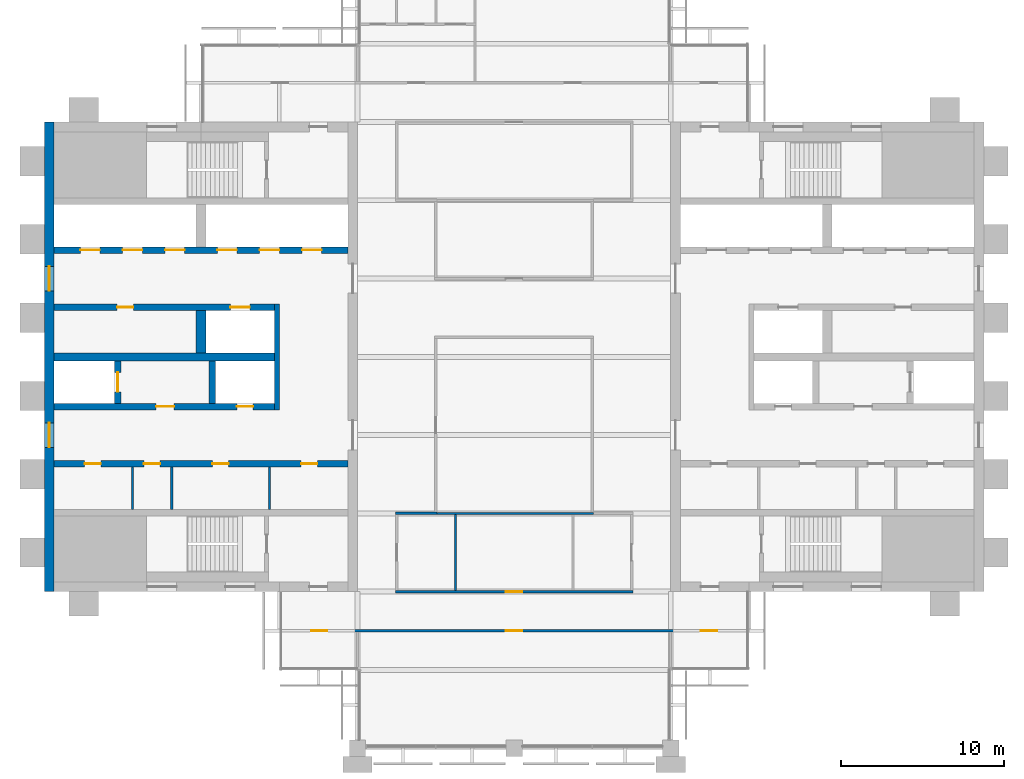
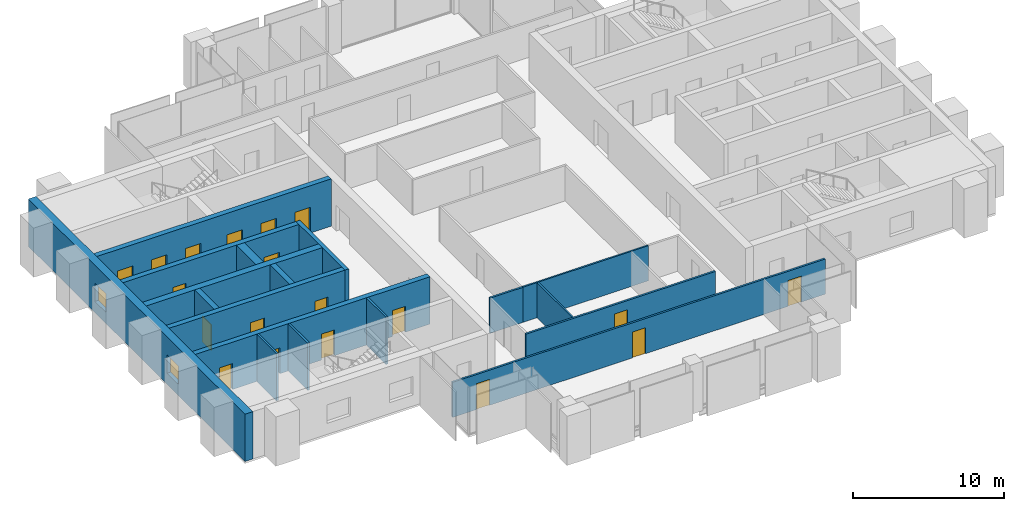
# One storey, part 8 of 12: 19 doors, 18 walls, 2 windows, 21 openings.
"""IFC4 building model written with IfcOpenShell, lengths in metres."""

from ifc_helpers import new_model, si_unit, direction, frame, frame_2d, origin, place, context, subcontext, project, spatial, rectangle, extrude, material, layer, layer_set, type_object, element, fill, save


model = new_model("IFC4")

# Units and contexts
model_context = context("Model", 3, precision=1e-05, world=origin(), true_north=direction((0.0, 1.0)))
body_context = subcontext(model_context, "Body", "Model", "MODEL_VIEW")
ifc_project = project(units=[si_unit("LENGTHUNIT", "METRE"), si_unit("AREAUNIT", "SQUARE_METRE"), si_unit("VOLUMEUNIT", "CUBIC_METRE"), si_unit("PLANEANGLEUNIT", "RADIAN"), si_unit("MASSUNIT", "GRAM", prefix="KILO")], contexts=[model_context])

# Site, building, storey
site_placement = place(None, origin())
site = spatial("IfcSite", under=ifc_project, at=site_placement, CompositionType="ELEMENT")
building_placement = place(site_placement, origin())
building = spatial("IfcBuilding", under=site, at=building_placement, Name="Baori Bourse Tower", CompositionType="ELEMENT")
storey_placement = place(building_placement, frame((0.0, 0.0, 286.300048828125)))
storey = spatial("IfcBuildingStorey", under=building, at=storey_placement, Name="L62", CompositionType="ELEMENT", Elevation=286.300048828125)

# Walls
ifc_material_1 = material(Name="Blockwork partition", Category="masonry")
ifc_layer_1 = layer(ifc_material_1, 0.14990234375)
ifc_layer_set_1 = layer_set([ifc_layer_1], Name="Core partition 150")
wall_type_1 = type_object("IfcWallType", Name="Core partition 150", PredefinedType="PARTITIONING", material=ifc_layer_set_1)
for number, where, z_axis, x_axis, name in (
    (1, (5.39990234375, 14.64990234375, 0.0), (0.0, 0.0, 1.0), (0.0, 1.0, 0.0), "Partition wall W09"),
    (2, (7.800048828125, 14.64990234375, 0.0), (0.0, 0.0, 1.0), (0.0, 1.0, 0.0), "Partition wall W10"),
    (3, (13.800048828125, 14.64990234375, 0.0), (0.0, 0.0, 1.0), (0.0, 1.0, 0.0), "Partition wall W11"),
):
    element("IfcWall", number, at=place(storey_placement, frame(where, z_axis=z_axis, x_axis=x_axis)), inside=storey, type_object=wall_type_1, Name=name, PredefinedType="PARTITIONING", context=body_context, shape_type="SweptSolid", body=[
        extrude(rectangle(XDim=2.60009765625, YDim=0.14990234375, at=frame_2d((1.300048828125, 0.0))), origin(), (0.0, 0.0, 1.0), 3.83984375),
    ])

# Wall, openings, windows
ifc_material_2 = material(Name="Concrete f'c 40 MPa", Category="concrete")
ifc_layer_2 = layer(ifc_material_2, 0.60009765625)
ifc_layer_set_2 = layer_set([ifc_layer_2], Name="Core wall 600 f'c 40")
wall_type_2 = type_object("IfcWallType", Name="Core wall 600 f'c 40", PredefinedType="SHEAR", material=ifc_layer_set_2)
wall_1_placement = place(storey_placement, frame((0.300048828125, 9.60009765625, 0.0), z_axis=(0.0, 0.0, 1.0), x_axis=(0.0, 1.0, 0.0)))
wall_1 = element("IfcWall", 4, at=wall_1_placement, inside=storey, type_object=wall_type_2, Name="Core wall W01", PredefinedType="SHEAR", context=body_context, shape_type="SweptSolid", body=[
    extrude(rectangle(XDim=28.7998046875, YDim=0.60009765625, at=frame_2d((14.39990234375, 0.0))), origin(), (0.0, 0.0, 1.0), 3.83984375),
])
opening_1_placement = place(wall_1_placement, frame((8.85009765625, 0.0, 0.89990234375)))
opening_1 = element("IfcOpeningElement", 5, at=opening_1_placement, cuts=wall_1, Name="Opening L62-KW101", PredefinedType="OPENING", context=body_context, shape_type="SweptSolid", body=[
    extrude(rectangle(XDim=1.5, YDim=1.5, at=frame_2d((0.75, 0.75))), frame((0.0, 0.31005859375, 0.0), z_axis=(0.0, -1.0, 0.0), x_axis=(1.0, 0.0, 0.0)), (0.0, 0.0, 1.0), 0.6201171875),
])
opening_2_placement = place(wall_1_placement, frame((18.449951171875, 0.0, 0.89990234375)))
opening_2 = element("IfcOpeningElement", 6, at=opening_2_placement, cuts=wall_1, Name="Opening L62-KW102", PredefinedType="OPENING", context=body_context, shape_type="SweptSolid", body=[
    extrude(rectangle(XDim=1.5, YDim=1.5, at=frame_2d((0.75, 0.75))), frame((0.0, 0.31005859375, 0.0), z_axis=(0.0, -1.0, 0.0), x_axis=(1.0, 0.0, 0.0)), (0.0, 0.0, 1.0), 0.6201171875),
])
ifc_material_3 = material(Name="Pale anodised aluminium", Category="aluminium")
window_type = type_object("IfcWindowType", Name="Lobby window 1500 x 1500", PartitioningType="SINGLE_PANEL", PredefinedType="WINDOW", material=ifc_material_3)
window_1_placement = place(opening_1_placement, origin())
window_1 = element("IfcWindow", 7, at=window_1_placement, inside=storey, type_object=window_type, Name="Outer wall window W L62 1", OverallHeight=1.5, OverallWidth=1.5, PartitioningType="SINGLE_PANEL", PredefinedType="WINDOW", context=body_context, shape_type="SweptSolid", body=[
    extrude(rectangle(XDim=1.5, YDim=1.5, at=frame_2d((0.75, 0.75))), frame((0.0, 0.030029296875, 0.0), z_axis=(0.0, -1.0, 0.0), x_axis=(1.0, 0.0, 0.0)), (0.0, 0.0, 1.0), 0.06005859375),
])
fill(opening_1, window_1)
window_2_placement = place(opening_2_placement, origin())
window_2 = element("IfcWindow", 8, at=window_2_placement, inside=storey, type_object=window_type, Name="Outer wall window W L62 2", OverallHeight=1.5, OverallWidth=1.5, PartitioningType="SINGLE_PANEL", PredefinedType="WINDOW", context=body_context, shape_type="SweptSolid", body=[
    extrude(rectangle(XDim=1.5, YDim=1.5, at=frame_2d((0.75, 0.75))), frame((0.0, 0.030029296875, 0.0), z_axis=(0.0, -1.0, 0.0), x_axis=(1.0, 0.0, 0.0)), (0.0, 0.0, 1.0), 0.06005859375),
])
fill(opening_2, window_2)

# Wall, openings, doors
ifc_material_4 = material(Name="Gypsum board partition")
ifc_layer_3 = layer(ifc_material_4, 0.14990234375)
ifc_layer_set_3 = layer_set([ifc_layer_3], Name="Corridor partition 150")
wall_type_3 = type_object("IfcWallType", Name="Corridor partition 150", PredefinedType="PARTITIONING", material=ifc_layer_set_3)
wall_2_placement = place(storey_placement, frame((14.5, 7.199951171875, 0.0), z_axis=(0.0, 0.0, 1.0), x_axis=(1.0, 0.0, 0.0)))
wall_2 = element("IfcWall", 9, at=wall_2_placement, inside=storey, type_object=wall_type_3, Name="Partition", PredefinedType="PARTITIONING", context=body_context, shape_type="SweptSolid", body=[
    extrude(rectangle(XDim=28.60009765625, YDim=0.14990234375, at=frame_2d((14.300048828125, 0.0))), origin(), (0.0, 0.0, 1.0), 2.849365234375),
])
opening_3_placement = place(wall_2_placement, frame((1.85009765625, 0.0, 0.0)))
opening_3 = element("IfcOpeningElement", 10, at=opening_3_placement, cuts=wall_2, Name="Opening L62-D01", PredefinedType="OPENING", context=body_context, shape_type="SweptSolid", body=[
    extrude(rectangle(XDim=1.0, YDim=2.10009765625, at=frame_2d((0.5, 1.050048828125))), frame((0.0, 0.0849609375, 0.0), z_axis=(0.0, -1.0, 0.0), x_axis=(1.0, 0.0, 0.0)), (0.0, 0.0, 1.0), 0.169921875),
])
opening_4_placement = place(wall_2_placement, frame((13.800048828125, 0.0, 0.0)))
opening_4 = element("IfcOpeningElement", 11, at=opening_4_placement, cuts=wall_2, Name="Opening L62-D02", PredefinedType="OPENING", context=body_context, shape_type="SweptSolid", body=[
    extrude(rectangle(XDim=1.0, YDim=2.10009765625, at=frame_2d((0.5, 1.050048828125))), frame((0.0, 0.0849609375, 0.0), z_axis=(0.0, -1.0, 0.0), x_axis=(1.0, 0.0, 0.0)), (0.0, 0.0, 1.0), 0.169921875),
])
opening_5_placement = place(wall_2_placement, frame((25.75, 0.0, 0.0)))
opening_5 = element("IfcOpeningElement", 12, at=opening_5_placement, cuts=wall_2, Name="Opening L62-D03", PredefinedType="OPENING", context=body_context, shape_type="SweptSolid", body=[
    extrude(rectangle(XDim=1.0, YDim=2.10009765625, at=frame_2d((0.5, 1.050048828125))), frame((0.0, 0.0849609375, 0.0), z_axis=(0.0, -1.0, 0.0), x_axis=(1.0, 0.0, 0.0)), (0.0, 0.0, 1.0), 0.169921875),
])
ifc_material_5 = material(Name="Timber door leaf", Category="wood")
door_type_1 = type_object("IfcDoorType", Name="Door 1000 x 2100", OperationType="SINGLE_SWING_LEFT", PredefinedType="DOOR", material=ifc_material_5)
door_1_placement = place(opening_3_placement, origin())
door_1 = element("IfcDoor", 13, at=door_1_placement, inside=storey, type_object=door_type_1, Name="Door", OperationType="SINGLE_SWING_LEFT", OverallHeight=2.10009765625, OverallWidth=1.0, PredefinedType="DOOR", context=body_context, shape_type="SweptSolid", body=[
    extrude(rectangle(XDim=1.0, YDim=2.10009765625, at=frame_2d((0.5, 1.050048828125))), frame((0.0, 0.02490234375, 0.0), z_axis=(0.0, -1.0, 0.0), x_axis=(1.0, 0.0, 0.0)), (0.0, 0.0, 1.0), 0.050048828125),
])
fill(opening_3, door_1)
door_2_placement = place(opening_4_placement, origin())
door_2 = element("IfcDoor", 14, at=door_2_placement, inside=storey, type_object=door_type_1, Name="Door", OperationType="SINGLE_SWING_LEFT", OverallHeight=2.10009765625, OverallWidth=1.0, PredefinedType="DOOR", context=body_context, shape_type="SweptSolid", body=[
    extrude(rectangle(XDim=1.0, YDim=2.10009765625, at=frame_2d((0.5, 1.050048828125))), frame((0.0, 0.02490234375, 0.0), z_axis=(0.0, -1.0, 0.0), x_axis=(1.0, 0.0, 0.0)), (0.0, 0.0, 1.0), 0.050048828125),
])
fill(opening_4, door_2)
door_3_placement = place(opening_5_placement, origin())
door_3 = element("IfcDoor", 15, at=door_3_placement, inside=storey, type_object=door_type_1, Name="Door", OperationType="SINGLE_SWING_RIGHT", OverallHeight=2.10009765625, OverallWidth=1.0, PredefinedType="DOOR", context=body_context, shape_type="SweptSolid", body=[
    extrude(rectangle(XDim=1.0, YDim=2.10009765625, at=frame_2d((0.5, 1.050048828125))), frame((0.0, 0.02490234375, 0.0), z_axis=(0.0, -1.0, 0.0), x_axis=(1.0, 0.0, 0.0)), (0.0, 0.0, 1.0), 0.050048828125),
])
fill(opening_5, door_3)

# Wall, opening, door
wall_3_placement = place(storey_placement, frame((21.52490234375, 9.60009765625, 0.0), z_axis=(0.0, 0.0, 1.0), x_axis=(1.0, 0.0, 0.0)))
wall_3 = element("IfcWall", 16, at=wall_3_placement, inside=storey, type_object=wall_type_3, Name="Partition", PredefinedType="PARTITIONING", context=body_context, shape_type="SweptSolid", body=[
    extrude(rectangle(XDim=14.550048828125, YDim=0.14990234375, at=frame_2d((7.27490234375, 0.0))), origin(), (0.0, 0.0, 1.0), 2.849365234375),
])
opening_6_placement = place(wall_3_placement, frame((6.77490234375, 0.0, 0.0)))
opening_6 = element("IfcOpeningElement", 17, at=opening_6_placement, cuts=wall_3, Name="Opening L62-D04", PredefinedType="OPENING", context=body_context, shape_type="SweptSolid", body=[
    extrude(rectangle(XDim=1.0, YDim=2.10009765625, at=frame_2d((0.5, 1.050048828125))), frame((0.0, 0.0849609375, 0.0), z_axis=(0.0, -1.0, 0.0), x_axis=(1.0, 0.0, 0.0)), (0.0, 0.0, 1.0), 0.169921875),
])
door_4_placement = place(opening_6_placement, origin())
door_4 = element("IfcDoor", 18, at=door_4_placement, inside=storey, type_object=door_type_1, Name="Door", OperationType="SINGLE_SWING_RIGHT", OverallHeight=2.10009765625, OverallWidth=1.0, PredefinedType="DOOR", context=body_context, shape_type="SweptSolid", body=[
    extrude(rectangle(XDim=1.0, YDim=2.10009765625, at=frame_2d((0.5, 1.050048828125))), frame((0.0, 0.02490234375, 0.0), z_axis=(0.0, -1.0, 0.0), x_axis=(1.0, 0.0, 0.0)), (0.0, 0.0, 1.0), 0.050048828125),
])
fill(opening_6, door_4)

# Walls
wall_4_placement = place(storey_placement, frame((21.52490234375, 14.39990234375, 0.0), z_axis=(0.0, 0.0, 1.0), x_axis=(1.0, 0.0, 0.0)))
element("IfcWall", 19, at=wall_4_placement, inside=storey, type_object=wall_type_3, Name="Partition", PredefinedType="PARTITIONING", context=body_context, shape_type="SweptSolid", body=[
    extrude(rectangle(XDim=2.550048828125, YDim=0.14990234375, at=frame_2d((1.27490234375, 0.0))), origin(), (0.0, 0.0, 1.0), 2.849365234375),
])
ifc_material_6 = material(Name="Gypsum board partition")
ifc_layer_4 = layer(ifc_material_6, 0.125)
ifc_layer_set_4 = layer_set([ifc_layer_4], Name="Partition 125")
wall_type_4 = type_object("IfcWallType", Name="Partition 125", PredefinedType="PARTITIONING", material=ifc_layer_set_4)
wall_5_placement = place(storey_placement, frame((24.074951171875, 14.39990234375, 0.0), z_axis=(0.0, 0.0, 1.0), x_axis=(1.0, 0.0, 0.0)))
element("IfcWall", 20, at=wall_5_placement, inside=storey, type_object=wall_type_4, Name="Partition", PredefinedType="PARTITIONING", context=body_context, shape_type="SweptSolid", body=[
    extrude(rectangle(XDim=9.60009765625, YDim=0.125, at=frame_2d((4.800048828125, 0.0))), origin(), (0.0, 0.0, 1.0), 2.849365234375),
])
wall_6_placement = place(storey_placement, frame((25.199951171875, 9.675048828125, 0.0), z_axis=(0.0, 0.0, 1.0), x_axis=(0.0, 1.0, 0.0)))
element("IfcWall", 21, at=wall_6_placement, inside=storey, type_object=wall_type_4, Name="Partition", PredefinedType="PARTITIONING", context=body_context, shape_type="SweptSolid", body=[
    extrude(rectangle(XDim=4.662353515625, YDim=0.125, at=frame_2d((2.3310546875, 0.0))), origin(), (0.0, 0.0, 1.0), 2.849365234375),
])
ifc_material_7 = material(Name="Concrete f'c 40 MPa", Category="concrete")
ifc_layer_5 = layer(ifc_material_7, 0.300048828125)
ifc_layer_set_5 = layer_set([ifc_layer_5], Name="Shaft wall 300 f'c 40")
wall_type_5 = type_object("IfcWallType", Name="Shaft wall 300 f'c 40", PredefinedType="SHEAR", material=ifc_layer_set_5)
wall_7_placement = place(storey_placement, frame((14.25, 20.75, 0.0), z_axis=(0.0, 0.0, 1.0), x_axis=(0.0, 1.0, 0.0)))
element("IfcWall", 22, at=wall_7_placement, inside=storey, type_object=wall_type_5, Name="Core wall W14", PredefinedType="SHEAR", context=body_context, shape_type="SweptSolid", body=[
    extrude(rectangle(XDim=6.5, YDim=0.300048828125, at=frame_2d((3.25, 0.0))), origin(), (0.0, 0.0, 1.0), 3.83984375),
])

# Wall, openings, doors
ifc_material_8 = material(Name="Concrete f'c 40 MPa", Category="concrete")
ifc_layer_6 = layer(ifc_material_8, 0.39990234375)
ifc_layer_set_6 = layer_set([ifc_layer_6], Name="Shaft wall 400 f'c 40")
wall_type_6 = type_object("IfcWallType", Name="Shaft wall 400 f'c 40", PredefinedType="SHEAR", material=ifc_layer_set_6)
wall_8_placement = place(storey_placement, frame((0.60009765625, 17.449951171875, 0.0), z_axis=(0.0, 0.0, 1.0), x_axis=(1.0, 0.0, 0.0)))
wall_8 = element("IfcWall", 23, at=wall_8_placement, inside=storey, type_object=wall_type_6, Name="Core wall W12", PredefinedType="SHEAR", context=body_context, shape_type="SweptSolid", body=[
    extrude(rectangle(XDim=18.0, YDim=0.39990234375, at=frame_2d((9.0, 0.0))), origin(), (0.0, 0.0, 1.0), 3.83984375),
])
opening_7_placement = place(wall_8_placement, frame((1.862548828125, 0.0, 0.0)))
opening_7 = element("IfcOpeningElement", 24, at=opening_7_placement, cuts=wall_8, Name="Opening L62-D109", PredefinedType="OPENING", context=body_context, shape_type="SweptSolid", body=[
    extrude(rectangle(XDim=1.0, YDim=2.10009765625, at=frame_2d((0.5, 1.050048828125))), frame((0.0, 0.2099609375, 0.0), z_axis=(0.0, -1.0, 0.0), x_axis=(1.0, 0.0, 0.0)), (0.0, 0.0, 1.0), 0.419921875),
])
opening_8_placement = place(wall_8_placement, frame((5.5, 0.0, 0.0)))
opening_8 = element("IfcOpeningElement", 25, at=opening_8_placement, cuts=wall_8, Name="Opening L62-D110", PredefinedType="OPENING", context=body_context, shape_type="SweptSolid", body=[
    extrude(rectangle(XDim=1.0, YDim=2.10009765625, at=frame_2d((0.5, 1.050048828125))), frame((0.0, 0.2099609375, 0.0), z_axis=(0.0, -1.0, 0.0), x_axis=(1.0, 0.0, 0.0)), (0.0, 0.0, 1.0), 0.419921875),
])
opening_9_placement = place(wall_8_placement, frame((9.699951171875, 0.0, 0.0)))
opening_9 = element("IfcOpeningElement", 26, at=opening_9_placement, cuts=wall_8, Name="Opening L62-D111", PredefinedType="OPENING", context=body_context, shape_type="SweptSolid", body=[
    extrude(rectangle(XDim=1.0, YDim=2.10009765625, at=frame_2d((0.5, 1.050048828125))), frame((0.0, 0.2099609375, 0.0), z_axis=(0.0, -1.0, 0.0), x_axis=(1.0, 0.0, 0.0)), (0.0, 0.0, 1.0), 0.419921875),
])
opening_10_placement = place(wall_8_placement, frame((15.137451171875, 0.0, 0.0)))
opening_10 = element("IfcOpeningElement", 27, at=opening_10_placement, cuts=wall_8, Name="Opening L62-D112", PredefinedType="OPENING", context=body_context, shape_type="SweptSolid", body=[
    extrude(rectangle(XDim=1.0, YDim=2.10009765625, at=frame_2d((0.5, 1.050048828125))), frame((0.0, 0.2099609375, 0.0), z_axis=(0.0, -1.0, 0.0), x_axis=(1.0, 0.0, 0.0)), (0.0, 0.0, 1.0), 0.419921875),
])
ifc_material_9 = material(Name="Painted steel door", Category="steel")
door_type_2 = type_object("IfcDoorType", Name="Core door 1000", OperationType="SINGLE_SWING_LEFT", PredefinedType="DOOR", material=ifc_material_9)
door_5_placement = place(opening_7_placement, origin())
door_5 = element("IfcDoor", 28, at=door_5_placement, inside=storey, type_object=door_type_2, Name="Women'S Wc door W L62", OperationType="SINGLE_SWING_LEFT", OverallHeight=2.10009765625, OverallWidth=1.0, PredefinedType="DOOR", context=body_context, shape_type="SweptSolid", body=[
    extrude(rectangle(XDim=1.0, YDim=2.10009765625, at=frame_2d((0.5, 1.050048828125))), frame((0.0, 0.02490234375, 0.0), z_axis=(0.0, -1.0, 0.0), x_axis=(1.0, 0.0, 0.0)), (0.0, 0.0, 1.0), 0.050048828125),
])
fill(opening_7, door_5)
door_6_placement = place(opening_8_placement, origin())
door_6 = element("IfcDoor", 29, at=door_6_placement, inside=storey, type_object=door_type_2, Name="Store Room door W L62", OperationType="SINGLE_SWING_LEFT", OverallHeight=2.10009765625, OverallWidth=1.0, PredefinedType="DOOR", context=body_context, shape_type="SweptSolid", body=[
    extrude(rectangle(XDim=1.0, YDim=2.10009765625, at=frame_2d((0.5, 1.050048828125))), frame((0.0, 0.02490234375, 0.0), z_axis=(0.0, -1.0, 0.0), x_axis=(1.0, 0.0, 0.0)), (0.0, 0.0, 1.0), 0.050048828125),
])
fill(opening_8, door_6)
door_7_placement = place(opening_9_placement, origin())
door_7 = element("IfcDoor", 30, at=door_7_placement, inside=storey, type_object=door_type_2, Name="Men'S Wc door W L62", OperationType="SINGLE_SWING_LEFT", OverallHeight=2.10009765625, OverallWidth=1.0, PredefinedType="DOOR", context=body_context, shape_type="SweptSolid", body=[
    extrude(rectangle(XDim=1.0, YDim=2.10009765625, at=frame_2d((0.5, 1.050048828125))), frame((0.0, 0.02490234375, 0.0), z_axis=(0.0, -1.0, 0.0), x_axis=(1.0, 0.0, 0.0)), (0.0, 0.0, 1.0), 0.050048828125),
])
fill(opening_9, door_7)
door_8_placement = place(opening_10_placement, origin())
door_8 = element("IfcDoor", 31, at=door_8_placement, inside=storey, type_object=door_type_2, Name="Accessible Wc door W L62", OperationType="SINGLE_SWING_LEFT", OverallHeight=2.10009765625, OverallWidth=1.0, PredefinedType="DOOR", context=body_context, shape_type="SweptSolid", body=[
    extrude(rectangle(XDim=1.0, YDim=2.10009765625, at=frame_2d((0.5, 1.050048828125))), frame((0.0, 0.02490234375, 0.0), z_axis=(0.0, -1.0, 0.0), x_axis=(1.0, 0.0, 0.0)), (0.0, 0.0, 1.0), 0.050048828125),
])
fill(opening_10, door_8)

wall_9_placement = place(storey_placement, frame((0.60009765625, 20.949951171875, 0.0), z_axis=(0.0, 0.0, 1.0), x_axis=(1.0, 0.0, 0.0)))
wall_9 = element("IfcWall", 32, at=wall_9_placement, inside=storey, type_object=wall_type_6, Name="Core wall W13", PredefinedType="SHEAR", context=body_context, shape_type="SweptSolid", body=[
    extrude(rectangle(XDim=13.5, YDim=0.39990234375, at=frame_2d((6.75, 0.0))), origin(), (0.0, 0.0, 1.0), 3.83984375),
])
opening_11_placement = place(wall_9_placement, frame((6.25, 0.0, 0.0)))
opening_11 = element("IfcOpeningElement", 33, at=opening_11_placement, cuts=wall_9, Name="Opening L62-D105", PredefinedType="OPENING", context=body_context, shape_type="SweptSolid", body=[
    extrude(rectangle(XDim=1.10009765625, YDim=2.10009765625, at=frame_2d((0.550048828125, 1.050048828125))), frame((0.0, 0.2099609375, 0.0), z_axis=(0.0, -1.0, 0.0), x_axis=(1.0, 0.0, 0.0)), (0.0, 0.0, 1.0), 0.419921875),
])
opening_12_placement = place(wall_9_placement, frame((11.199951171875, 0.0, 0.0)))
opening_12 = element("IfcOpeningElement", 34, at=opening_12_placement, cuts=wall_9, Name="Opening L62-D106", PredefinedType="OPENING", context=body_context, shape_type="SweptSolid", body=[
    extrude(rectangle(XDim=1.0, YDim=2.10009765625, at=frame_2d((0.5, 1.050048828125))), frame((0.0, 0.2099609375, 0.0), z_axis=(0.0, -1.0, 0.0), x_axis=(1.0, 0.0, 0.0)), (0.0, 0.0, 1.0), 0.419921875),
])
ifc_material_10 = material(Name="Painted steel door", Category="steel")
door_type_3 = type_object("IfcDoorType", Name="Lobby door 1100", OperationType="SINGLE_SWING_LEFT", PredefinedType="DOOR", material=ifc_material_10)
door_9_placement = place(opening_11_placement, origin())
door_9 = element("IfcDoor", 35, at=door_9_placement, inside=storey, type_object=door_type_3, Name="Firefighting lobby door W L62", OperationType="SINGLE_SWING_LEFT", OverallHeight=2.10009765625, OverallWidth=1.10009765625, PredefinedType="DOOR", context=body_context, shape_type="SweptSolid", body=[
    extrude(rectangle(XDim=1.10009765625, YDim=2.10009765625, at=frame_2d((0.550048828125, 1.050048828125))), frame((0.0, 0.02490234375, 0.0), z_axis=(0.0, -1.0, 0.0), x_axis=(1.0, 0.0, 0.0)), (0.0, 0.0, 1.0), 0.050048828125),
])
fill(opening_11, door_9)
ifc_material_11 = material(Name="Painted steel door", Category="steel")
door_type_4 = type_object("IfcDoorType", Name="Shaft door 1000", OperationType="SINGLE_SWING_LEFT", PredefinedType="DOOR", material=ifc_material_11)
door_10_placement = place(opening_12_placement, origin())
door_10 = element("IfcDoor", 36, at=door_10_placement, inside=storey, type_object=door_type_4, Name="Riser room door W L62", OperationType="SINGLE_SWING_LEFT", OverallHeight=2.10009765625, OverallWidth=1.0, PredefinedType="DOOR", context=body_context, shape_type="SweptSolid", body=[
    extrude(rectangle(XDim=1.0, YDim=2.10009765625, at=frame_2d((0.5, 1.050048828125))), frame((0.0, 0.02490234375, 0.0), z_axis=(0.0, -1.0, 0.0), x_axis=(1.0, 0.0, 0.0)), (0.0, 0.0, 1.0), 0.050048828125),
])
fill(opening_12, door_10)

# Wall, opening, door
wall_10_placement = place(storey_placement, frame((4.5, 21.14990234375, 0.0), z_axis=(0.0, 0.0, 1.0), x_axis=(0.0, 1.0, 0.0)))
wall_10 = element("IfcWall", 37, at=wall_10_placement, inside=storey, type_object=wall_type_6, Name="Core wall W15", PredefinedType="SHEAR", context=body_context, shape_type="SweptSolid", body=[
    extrude(rectangle(XDim=2.60009765625, YDim=0.39990234375, at=frame_2d((1.300048828125, 0.0))), origin(), (0.0, 0.0, 1.0), 3.83984375),
])
opening_13_placement = place(wall_10_placement, frame((0.699951171875, 0.0, 0.0)))
opening_13 = element("IfcOpeningElement", 38, at=opening_13_placement, cuts=wall_10, Name="Opening L62-D121", PredefinedType="OPENING", context=body_context, shape_type="SweptSolid", body=[
    extrude(rectangle(XDim=1.199951171875, YDim=2.10009765625, at=frame_2d((0.60009765625, 1.050048828125))), frame((0.0, 0.2099609375, 0.0), z_axis=(0.0, -1.0, 0.0), x_axis=(1.0, 0.0, 0.0)), (0.0, 0.0, 1.0), 0.419921875),
])
ifc_material_12 = material(Name="Stainless steel door", Category="steel")
door_type_5 = type_object("IfcDoorType", Name="Lift landing door", OperationType="DOUBLE_DOOR_SLIDING", PredefinedType="DOOR", material=ifc_material_12)
door_11_placement = place(opening_13_placement, origin())
door_11 = element("IfcDoor", 39, at=door_11_placement, inside=storey, type_object=door_type_5, Name="Lift landing door FF1 W L62", OperationType="DOUBLE_DOOR_SLIDING", OverallHeight=2.10009765625, OverallWidth=1.199951171875, PredefinedType="DOOR", context=body_context, shape_type="SweptSolid", body=[
    extrude(rectangle(XDim=1.199951171875, YDim=2.10009765625, at=frame_2d((0.60009765625, 1.050048828125))), frame((0.0, 0.02490234375, 0.0), z_axis=(0.0, -1.0, 0.0), x_axis=(1.0, 0.0, 0.0)), (0.0, 0.0, 1.0), 0.050048828125),
])
fill(opening_13, door_11)

# Wall
wall_11_placement = place(storey_placement, frame((10.300048828125, 21.14990234375, 0.0), z_axis=(0.0, 0.0, 1.0), x_axis=(0.0, 1.0, 0.0)))
element("IfcWall", 40, at=wall_11_placement, inside=storey, type_object=wall_type_6, Name="Core wall W16", PredefinedType="SHEAR", context=body_context, shape_type="SweptSolid", body=[
    extrude(rectangle(XDim=2.60009765625, YDim=0.39990234375, at=frame_2d((1.300048828125, 0.0))), origin(), (0.0, 0.0, 1.0), 3.83984375),
])

# Wall, openings, doors
wall_12_placement = place(storey_placement, frame((0.60009765625, 27.050048828125, 0.0), z_axis=(0.0, 0.0, 1.0), x_axis=(1.0, 0.0, 0.0)))
wall_12 = element("IfcWall", 41, at=wall_12_placement, inside=storey, type_object=wall_type_6, Name="Core wall W19", PredefinedType="SHEAR", context=body_context, shape_type="SweptSolid", body=[
    extrude(rectangle(XDim=13.5, YDim=0.39990234375, at=frame_2d((6.75, 0.0))), origin(), (0.0, 0.0, 1.0), 3.83984375),
])
opening_14_placement = place(wall_12_placement, frame((3.85009765625, 0.0, 0.0)))
opening_14 = element("IfcOpeningElement", 42, at=opening_14_placement, cuts=wall_12, Name="Opening L62-D113", PredefinedType="OPENING", context=body_context, shape_type="SweptSolid", body=[
    extrude(rectangle(XDim=1.0, YDim=2.10009765625, at=frame_2d((0.5, 1.050048828125))), frame((0.0, 0.2099609375, 0.0), z_axis=(0.0, -1.0, 0.0), x_axis=(1.0, 0.0, 0.0)), (0.0, 0.0, 1.0), 0.419921875),
])
opening_15_placement = place(wall_12_placement, frame((10.800048828125, 0.0, 0.0)))
opening_15 = element("IfcOpeningElement", 43, at=opening_15_placement, cuts=wall_12, Name="Opening L62-D120", PredefinedType="OPENING", context=body_context, shape_type="SweptSolid", body=[
    extrude(rectangle(XDim=1.199951171875, YDim=2.10009765625, at=frame_2d((0.60009765625, 1.050048828125))), frame((0.0, 0.2099609375, 0.0), z_axis=(0.0, -1.0, 0.0), x_axis=(1.0, 0.0, 0.0)), (0.0, 0.0, 1.0), 0.419921875),
])
door_12_placement = place(opening_14_placement, origin())
door_12 = element("IfcDoor", 44, at=door_12_placement, inside=storey, type_object=door_type_2, Name="Recycling Room door W L62", OperationType="SINGLE_SWING_LEFT", OverallHeight=2.10009765625, OverallWidth=1.0, PredefinedType="DOOR", context=body_context, shape_type="SweptSolid", body=[
    extrude(rectangle(XDim=1.0, YDim=2.10009765625, at=frame_2d((0.5, 1.050048828125))), frame((0.0, 0.02490234375, 0.0), z_axis=(0.0, -1.0, 0.0), x_axis=(1.0, 0.0, 0.0)), (0.0, 0.0, 1.0), 0.050048828125),
])
fill(opening_14, door_12)
door_13_placement = place(opening_15_placement, origin())
door_13 = element("IfcDoor", 45, at=door_13_placement, inside=storey, type_object=door_type_5, Name="Lift landing door SV1 W L62", OperationType="DOUBLE_DOOR_SLIDING", OverallHeight=2.10009765625, OverallWidth=1.199951171875, PredefinedType="DOOR", context=body_context, shape_type="SweptSolid", body=[
    extrude(rectangle(XDim=1.199951171875, YDim=2.10009765625, at=frame_2d((0.60009765625, 1.050048828125))), frame((0.0, 0.02490234375, 0.0), z_axis=(0.0, -1.0, 0.0), x_axis=(1.0, 0.0, 0.0)), (0.0, 0.0, 1.0), 0.050048828125),
])
fill(opening_15, door_13)

wall_13_placement = place(storey_placement, frame((0.60009765625, 30.550048828125, 0.0), z_axis=(0.0, 0.0, 1.0), x_axis=(1.0, 0.0, 0.0)))
wall_13 = element("IfcWall", 46, at=wall_13_placement, inside=storey, type_object=wall_type_6, Name="Core wall W20", PredefinedType="SHEAR", context=body_context, shape_type="SweptSolid", body=[
    extrude(rectangle(XDim=18.0, YDim=0.39990234375, at=frame_2d((9.0, 0.0))), origin(), (0.0, 0.0, 1.0), 3.83984375),
])
opening_16_placement = place(wall_13_placement, frame((1.60009765625, 0.0, 0.0)))
opening_16 = element("IfcOpeningElement", 47, at=opening_16_placement, cuts=wall_13, Name="Opening L62-D114", PredefinedType="OPENING", context=body_context, shape_type="SweptSolid", body=[
    extrude(rectangle(XDim=1.199951171875, YDim=2.10009765625, at=frame_2d((0.60009765625, 1.050048828125))), frame((0.0, 0.2099609375, 0.0), z_axis=(0.0, -1.0, 0.0), x_axis=(1.0, 0.0, 0.0)), (0.0, 0.0, 1.0), 0.419921875),
])
opening_17_placement = place(wall_13_placement, frame((4.199951171875, 0.0, 0.0)))
opening_17 = element("IfcOpeningElement", 48, at=opening_17_placement, cuts=wall_13, Name="Opening L62-D115", PredefinedType="OPENING", context=body_context, shape_type="SweptSolid", body=[
    extrude(rectangle(XDim=1.199951171875, YDim=2.10009765625, at=frame_2d((0.60009765625, 1.050048828125))), frame((0.0, 0.2099609375, 0.0), z_axis=(0.0, -1.0, 0.0), x_axis=(1.0, 0.0, 0.0)), (0.0, 0.0, 1.0), 0.419921875),
])
opening_18_placement = place(wall_13_placement, frame((6.800048828125, 0.0, 0.0)))
opening_18 = element("IfcOpeningElement", 49, at=opening_18_placement, cuts=wall_13, Name="Opening L62-D116", PredefinedType="OPENING", context=body_context, shape_type="SweptSolid", body=[
    extrude(rectangle(XDim=1.199951171875, YDim=2.10009765625, at=frame_2d((0.60009765625, 1.050048828125))), frame((0.0, 0.2099609375, 0.0), z_axis=(0.0, -1.0, 0.0), x_axis=(1.0, 0.0, 0.0)), (0.0, 0.0, 1.0), 0.419921875),
])
opening_19_placement = place(wall_13_placement, frame((10.0, 0.0, 0.0)))
opening_19 = element("IfcOpeningElement", 50, at=opening_19_placement, cuts=wall_13, Name="Opening L62-D117", PredefinedType="OPENING", context=body_context, shape_type="SweptSolid", body=[
    extrude(rectangle(XDim=1.199951171875, YDim=2.10009765625, at=frame_2d((0.60009765625, 1.050048828125))), frame((0.0, 0.2099609375, 0.0), z_axis=(0.0, -1.0, 0.0), x_axis=(1.0, 0.0, 0.0)), (0.0, 0.0, 1.0), 0.419921875),
])
opening_20_placement = place(wall_13_placement, frame((12.60009765625, 0.0, 0.0)))
opening_20 = element("IfcOpeningElement", 51, at=opening_20_placement, cuts=wall_13, Name="Opening L62-D118", PredefinedType="OPENING", context=body_context, shape_type="SweptSolid", body=[
    extrude(rectangle(XDim=1.199951171875, YDim=2.10009765625, at=frame_2d((0.60009765625, 1.050048828125))), frame((0.0, 0.2099609375, 0.0), z_axis=(0.0, -1.0, 0.0), x_axis=(1.0, 0.0, 0.0)), (0.0, 0.0, 1.0), 0.419921875),
])
opening_21_placement = place(wall_13_placement, frame((15.199951171875, 0.0, 0.0)))
opening_21 = element("IfcOpeningElement", 52, at=opening_21_placement, cuts=wall_13, Name="Opening L62-D119", PredefinedType="OPENING", context=body_context, shape_type="SweptSolid", body=[
    extrude(rectangle(XDim=1.199951171875, YDim=2.10009765625, at=frame_2d((0.60009765625, 1.050048828125))), frame((0.0, 0.2099609375, 0.0), z_axis=(0.0, -1.0, 0.0), x_axis=(1.0, 0.0, 0.0)), (0.0, 0.0, 1.0), 0.419921875),
])
door_14_placement = place(opening_16_placement, origin())
door_14 = element("IfcDoor", 53, at=door_14_placement, inside=storey, type_object=door_type_5, Name="Lift landing door HR1 W L62", OperationType="DOUBLE_DOOR_SLIDING", OverallHeight=2.10009765625, OverallWidth=1.199951171875, PredefinedType="DOOR", context=body_context, shape_type="SweptSolid", body=[
    extrude(rectangle(XDim=1.199951171875, YDim=2.10009765625, at=frame_2d((0.60009765625, 1.050048828125))), frame((0.0, 0.02490234375, 0.0), z_axis=(0.0, -1.0, 0.0), x_axis=(1.0, 0.0, 0.0)), (0.0, 0.0, 1.0), 0.050048828125),
])
fill(opening_16, door_14)
door_15_placement = place(opening_17_placement, origin())
door_15 = element("IfcDoor", 54, at=door_15_placement, inside=storey, type_object=door_type_5, Name="Lift landing door HR2 W L62", OperationType="DOUBLE_DOOR_SLIDING", OverallHeight=2.10009765625, OverallWidth=1.199951171875, PredefinedType="DOOR", context=body_context, shape_type="SweptSolid", body=[
    extrude(rectangle(XDim=1.199951171875, YDim=2.10009765625, at=frame_2d((0.60009765625, 1.050048828125))), frame((0.0, 0.02490234375, 0.0), z_axis=(0.0, -1.0, 0.0), x_axis=(1.0, 0.0, 0.0)), (0.0, 0.0, 1.0), 0.050048828125),
])
fill(opening_17, door_15)
door_16_placement = place(opening_18_placement, origin())
door_16 = element("IfcDoor", 55, at=door_16_placement, inside=storey, type_object=door_type_5, Name="Lift landing door HR3 W L62", OperationType="DOUBLE_DOOR_SLIDING", OverallHeight=2.10009765625, OverallWidth=1.199951171875, PredefinedType="DOOR", context=body_context, shape_type="SweptSolid", body=[
    extrude(rectangle(XDim=1.199951171875, YDim=2.10009765625, at=frame_2d((0.60009765625, 1.050048828125))), frame((0.0, 0.02490234375, 0.0), z_axis=(0.0, -1.0, 0.0), x_axis=(1.0, 0.0, 0.0)), (0.0, 0.0, 1.0), 0.050048828125),
])
fill(opening_18, door_16)
door_17_placement = place(opening_19_placement, origin())
door_17 = element("IfcDoor", 56, at=door_17_placement, inside=storey, type_object=door_type_5, Name="Lift landing door HR4 W L62", OperationType="DOUBLE_DOOR_SLIDING", OverallHeight=2.10009765625, OverallWidth=1.199951171875, PredefinedType="DOOR", context=body_context, shape_type="SweptSolid", body=[
    extrude(rectangle(XDim=1.199951171875, YDim=2.10009765625, at=frame_2d((0.60009765625, 1.050048828125))), frame((0.0, 0.02490234375, 0.0), z_axis=(0.0, -1.0, 0.0), x_axis=(1.0, 0.0, 0.0)), (0.0, 0.0, 1.0), 0.050048828125),
])
fill(opening_19, door_17)
door_18_placement = place(opening_20_placement, origin())
door_18 = element("IfcDoor", 57, at=door_18_placement, inside=storey, type_object=door_type_5, Name="Lift landing door HR5 W L62", OperationType="DOUBLE_DOOR_SLIDING", OverallHeight=2.10009765625, OverallWidth=1.199951171875, PredefinedType="DOOR", context=body_context, shape_type="SweptSolid", body=[
    extrude(rectangle(XDim=1.199951171875, YDim=2.10009765625, at=frame_2d((0.60009765625, 1.050048828125))), frame((0.0, 0.02490234375, 0.0), z_axis=(0.0, -1.0, 0.0), x_axis=(1.0, 0.0, 0.0)), (0.0, 0.0, 1.0), 0.050048828125),
])
fill(opening_20, door_18)
door_19_placement = place(opening_21_placement, origin())
door_19 = element("IfcDoor", 58, at=door_19_placement, inside=storey, type_object=door_type_5, Name="Lift landing door HR6 W L62", OperationType="DOUBLE_DOOR_SLIDING", OverallHeight=2.10009765625, OverallWidth=1.199951171875, PredefinedType="DOOR", context=body_context, shape_type="SweptSolid", body=[
    extrude(rectangle(XDim=1.199951171875, YDim=2.10009765625, at=frame_2d((0.60009765625, 1.050048828125))), frame((0.0, 0.02490234375, 0.0), z_axis=(0.0, -1.0, 0.0), x_axis=(1.0, 0.0, 0.0)), (0.0, 0.0, 1.0), 0.050048828125),
])
fill(opening_21, door_19)

# Walls
ifc_material_13 = material(Name="Concrete f'c 40 MPa", Category="concrete")
ifc_layer_7 = layer(ifc_material_13, 0.5)
ifc_layer_set_7 = layer_set([ifc_layer_7], Name="Shaft wall 500 f'c 40")
wall_type_7 = type_object("IfcWallType", Name="Shaft wall 500 f'c 40", PredefinedType="SHEAR", material=ifc_layer_set_7)
wall_14_placement = place(storey_placement, frame((0.60009765625, 24.0, 0.0), z_axis=(0.0, 0.0, 1.0), x_axis=(1.0, 0.0, 0.0)))
element("IfcWall", 59, at=wall_14_placement, inside=storey, type_object=wall_type_7, Name="Core wall W17", PredefinedType="SHEAR", context=body_context, shape_type="SweptSolid", body=[
    extrude(rectangle(XDim=13.5, YDim=0.5, at=frame_2d((6.75, 0.0))), origin(), (0.0, 0.0, 1.0), 3.83984375),
])
ifc_material_14 = material(Name="Concrete f'c 40 MPa", Category="concrete")
ifc_layer_8 = layer(ifc_material_14, 0.60009765625)
ifc_layer_set_8 = layer_set([ifc_layer_8], Name="Shaft wall 600 f'c 40")
wall_type_8 = type_object("IfcWallType", Name="Shaft wall 600 f'c 40", PredefinedType="SHEAR", material=ifc_layer_set_8)
wall_15_placement = place(storey_placement, frame((9.60009765625, 24.25, 0.0), z_axis=(0.0, 0.0, 1.0), x_axis=(0.0, 1.0, 0.0)))
element("IfcWall", 60, at=wall_15_placement, inside=storey, type_object=wall_type_8, Name="Core wall W18", PredefinedType="SHEAR", context=body_context, shape_type="SweptSolid", body=[
    extrude(rectangle(XDim=2.60009765625, YDim=0.60009765625, at=frame_2d((1.300048828125, 0.0))), origin(), (0.0, 0.0, 1.0), 3.83984375),
])

save(model, "model.ifc")
